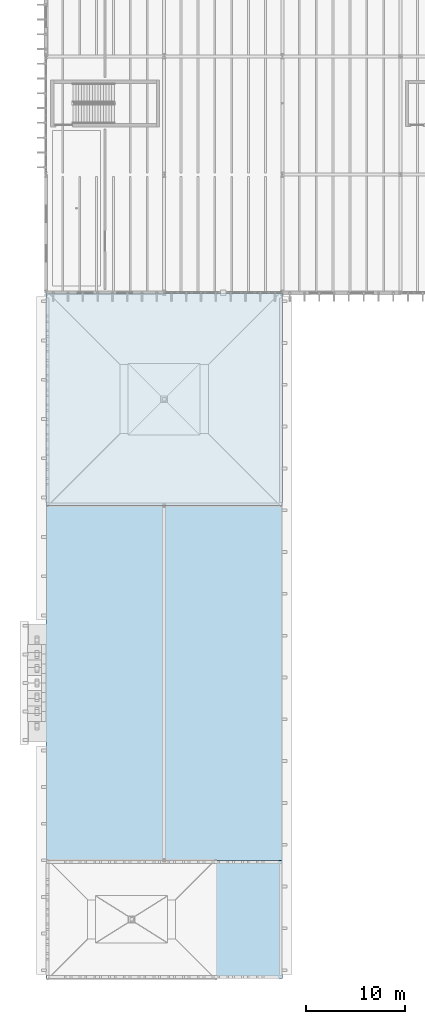
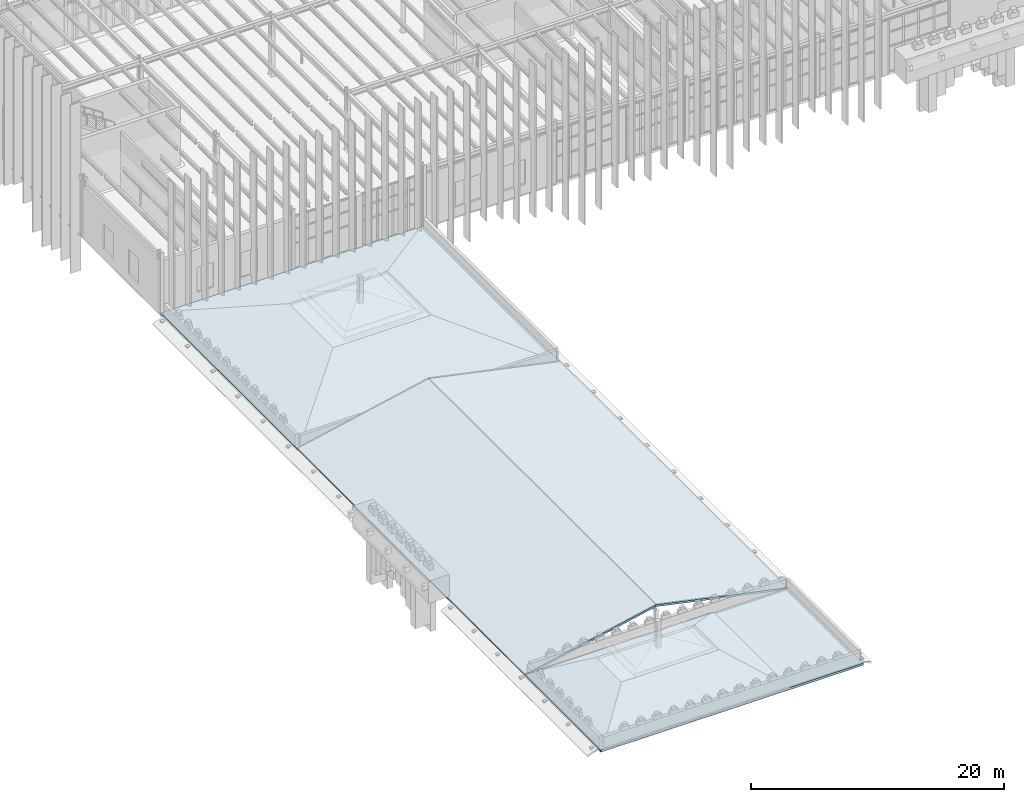
# One storey, part 35 of 83: 4 slabs.
"""IFC4 building model written with IfcOpenShell, lengths in metres."""

from ifc_helpers import new_model, si_unit, direction, frame, origin, place, context, subcontext, project, spatial, polyline, outline, extrude, material, layer, layer_set, type_object, element, save


model = new_model("IFC4")

# Units and contexts
model_context = context("Model", 3, precision=1e-05, world=origin(), true_north=direction((0.0, 1.0)))
body_context = subcontext(model_context, "Body", "Model", "MODEL_VIEW")
ifc_project = project(units=[si_unit("LENGTHUNIT", "METRE"), si_unit("AREAUNIT", "SQUARE_METRE"), si_unit("VOLUMEUNIT", "CUBIC_METRE"), si_unit("PLANEANGLEUNIT", "RADIAN"), si_unit("MASSUNIT", "GRAM", prefix="KILO")], contexts=[model_context])

# Site, building, storey
site_placement = place(None, origin())
site = spatial("IfcSite", under=ifc_project, at=site_placement, CompositionType="ELEMENT")
building_placement = place(site_placement, origin())
building = spatial("IfcBuilding", under=site, at=building_placement, Name="Zlatogorsky Bluff Art Gallery", CompositionType="ELEMENT")
storey_placement = place(building_placement, frame((0.0, 0.0, 10.800048828125)))
storey = spatial("IfcBuildingStorey", under=building, at=storey_placement, Name="L02", CompositionType="ELEMENT", Elevation=10.800048828125)

# Slabs
ifc_material = material(Name="Concrete C30/37", Category="concrete")
ifc_layer_1 = layer(ifc_material, 0.219970703125)
ifc_layer_set_1 = layer_set([ifc_layer_1], Name="Slab RF-FL1 220mm")
slab_type_1 = type_object("IfcSlabType", Name="Slab RF-FL1 220mm", PredefinedType="ROOF", material=ifc_layer_set_1)
slab_1_placement = place(storey_placement, frame((0.0, 0.0, -0.219970703125)))
element("IfcSlab", 1, at=slab_1_placement, inside=storey, type_object=slab_type_1, Name="L02 flat insulated roof slab 1", PredefinedType="ROOF", context=body_context, shape_type="SweptSolid", body=[
    extrude(outline(polyline([(12.0, 26.39990234375), (24.0, 26.39990234375), (24.0, 14.39990234375), (12.0, 14.39990234375), (0.0, 14.39990234375), (0.0, 26.39990234375), (12.0, 26.39990234375)])), origin(), (0.0, 0.0, 1.0), 0.219970703125),
])
slab_2_placement = place(storey_placement, frame((0.0, 0.0, -0.219970703125)))
element("IfcSlab", 2, at=slab_2_placement, inside=storey, type_object=slab_type_1, Name="L02 flat insulated roof slab 3", PredefinedType="ROOF", context=body_context, shape_type="SweptSolid", body=[
    extrude(outline(polyline([(0.0, 84.0), (12.0, 84.0), (24.0, 84.0), (24.0, 74.39990234375), (24.0, 62.39990234375), (12.0, 62.39990234375), (0.0, 62.39990234375), (0.0, 74.39990234375), (0.0, 84.0)])), origin(), (0.0, 0.0, 1.0), 0.219970703125),
])
ifc_layer_2 = layer(ifc_material, 0.179931640625)
ifc_layer_set_2 = layer_set([ifc_layer_2], Name="Slab RF-SL1 180mm")
slab_type_2 = type_object("IfcSlabType", Name="Slab RF-SL1 180mm", PredefinedType="ROOF", material=ifc_layer_set_2)
for number, where, z_axis, x_axis, name in (
    (3, (0.0, 26.39990234375, 0.0), (-0.20790064518, 0.0, 0.978149948491), (0.978149948491, 0.0, 0.20790064518), "Auditorium pitched roof slab west slope"),
    (4, (12.0, 26.39990234375, 2.550537109375), (0.20790064518, 0.0, 0.978149948491), (0.978149948491, 0.0, -0.20790064518), "Auditorium pitched roof slab east slope"),
):
    element("IfcSlab", number, at=place(storey_placement, frame(where, z_axis=z_axis, x_axis=x_axis)), inside=storey, type_object=slab_type_2, Name=name, PredefinedType="ROOF", context=body_context, shape_type="SweptSolid", body=[
        extrude(outline(polyline([(0.0, 0.0), (12.268057692491466, 0.0), (12.268057692491466, 36.0), (0.0, 36.0), (0.0, 0.0)])), origin(), (0.0, 0.0, -1.0), 0.179931640625),
    ])

save(model, "model.ifc")
